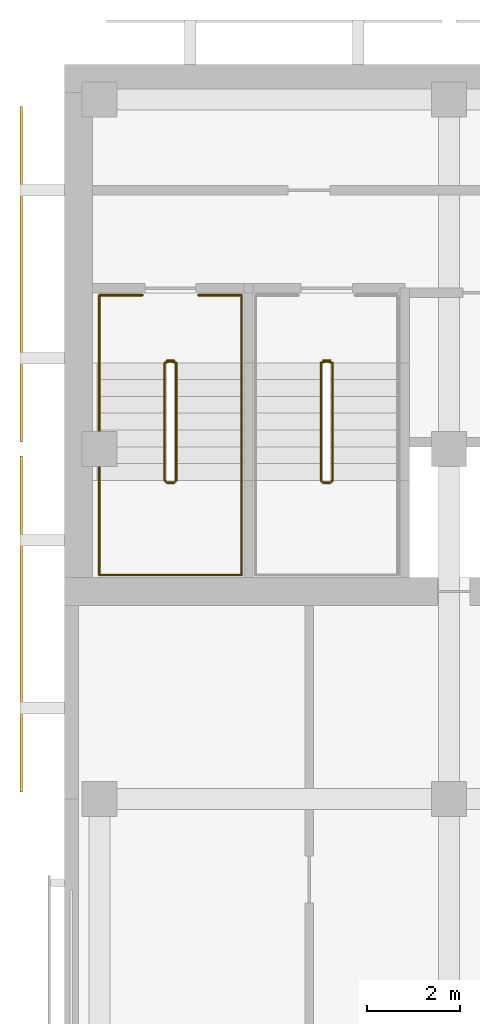
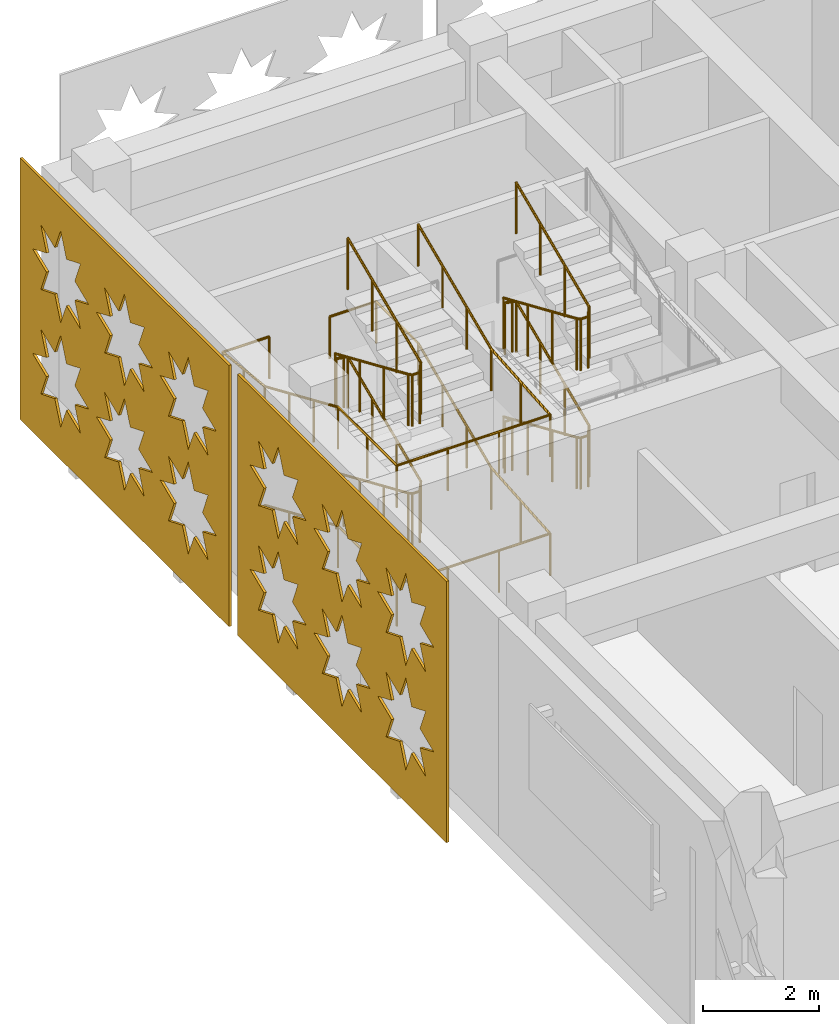
# One storey, part 36 of 40: 4 railings, 2 coverings.
"""IFC4 building model written with IfcOpenShell, lengths in metres."""

from ifc_helpers import new_model, si_unit, direction, frame, origin, origin_2d, place, context, subcontext, project, spatial, polyline, circle, outline, extrude, material, layer, layer_set, type_object, element, save


model = new_model("IFC4")

# Units and contexts
model_context = context("Model", 3, precision=1e-05, world=origin(), true_north=direction((0.0, 1.0)))
body_context = subcontext(model_context, "Body", "Model", "MODEL_VIEW")
ifc_project = project(units=[si_unit("LENGTHUNIT", "METRE"), si_unit("AREAUNIT", "SQUARE_METRE"), si_unit("VOLUMEUNIT", "CUBIC_METRE"), si_unit("PLANEANGLEUNIT", "RADIAN"), si_unit("MASSUNIT", "GRAM", prefix="KILO")], contexts=[model_context])

# Site, building, storey
site_placement = place(None, origin())
site = spatial("IfcSite", under=ifc_project, at=site_placement, CompositionType="ELEMENT")
building_placement = place(site_placement, origin())
building = spatial("IfcBuilding", under=site, at=building_placement, Name="Tessera Arch", CompositionType="ELEMENT")
storey_placement = place(building_placement, frame((0.0, 0.0, 21.0)))
storey = spatial("IfcBuildingStorey", under=building, at=storey_placement, Name="L03", CompositionType="ELEMENT", Elevation=21.0)

# Coverings
ifc_material_1 = material(Name="Anodised aluminium pale metal", Category="aluminium")
ifc_layer = layer(ifc_material_1, 0.050048828125)
ifc_layer_set = layer_set([ifc_layer], Name="Museum lattice skin panel")
covering_type = type_object("IfcCoveringType", Name="Museum lattice skin panel", PredefinedType="CLADDING", material=ifc_layer_set)
covering_1_placement = place(storey_placement, frame((-33.449951171875, 58.050048828125, 5.60009765625), z_axis=(1.0, 0.0, 0.0), x_axis=(0.0, -1.0, 0.0)))
element("IfcCovering", 1, at=covering_1_placement, inside=storey, type_object=covering_type, Name="Museum lattice skin L03 6-2", PredefinedType="CLADDING", context=body_context, shape_type="SweptSolid", body=[
    extrude(outline(polyline([(0.0, 0.0), (7.199951171875, 0.0), (7.199951171875, 5.5), (0.0, 5.5), (0.0, 0.0)]), holes=[polyline([(2.3681640625, 3.85009765625), (1.887939453125, 3.648193359375), (2.083984375, 3.166015625), (1.60205078125, 3.362060546875), (1.400146484375, 2.882080078125), (1.197998046875, 3.362060546875), (0.716064453125, 3.166015625), (0.912109375, 3.648193359375), (0.43212890625, 3.85009765625), (0.912109375, 4.052001953125), (0.716064453125, 4.5341796875), (1.197998046875, 4.338134765625), (1.400146484375, 4.818115234375), (1.60205078125, 4.338134765625), (2.083984375, 4.5341796875), (1.887939453125, 4.052001953125), (2.3681640625, 3.85009765625)]), polyline([(2.3681640625, 1.650146484375), (1.887939453125, 1.447998046875), (2.083984375, 0.966064453125), (1.60205078125, 1.162109375), (1.400146484375, 0.68212890625), (1.197998046875, 1.162109375), (0.716064453125, 0.966064453125), (0.912109375, 1.447998046875), (0.43212890625, 1.650146484375), (0.912109375, 1.85205078125), (0.716064453125, 2.333984375), (1.197998046875, 2.13818359375), (1.400146484375, 2.6181640625), (1.60205078125, 2.13818359375), (2.083984375, 2.333984375), (1.887939453125, 1.85205078125), (2.3681640625, 1.650146484375)]), polyline([(4.568115234375, 3.85009765625), (4.088134765625, 3.648193359375), (4.283935546875, 3.166015625), (3.802001953125, 3.362060546875), (3.60009765625, 2.882080078125), (3.39794921875, 3.362060546875), (2.916015625, 3.166015625), (3.112060546875, 3.648193359375), (2.632080078125, 3.85009765625), (3.112060546875, 4.052001953125), (2.916015625, 4.5341796875), (3.39794921875, 4.338134765625), (3.60009765625, 4.818115234375), (3.802001953125, 4.338134765625), (4.283935546875, 4.5341796875), (4.088134765625, 4.052001953125), (4.568115234375, 3.85009765625)]), polyline([(4.568115234375, 1.650146484375), (4.088134765625, 1.447998046875), (4.283935546875, 0.966064453125), (3.802001953125, 1.162109375), (3.60009765625, 0.68212890625), (3.39794921875, 1.162109375), (2.916015625, 0.966064453125), (3.112060546875, 1.447998046875), (2.632080078125, 1.650146484375), (3.112060546875, 1.85205078125), (2.916015625, 2.333984375), (3.39794921875, 2.13818359375), (3.60009765625, 2.6181640625), (3.802001953125, 2.13818359375), (4.283935546875, 2.333984375), (4.088134765625, 1.85205078125), (4.568115234375, 1.650146484375)]), polyline([(6.76806640625, 3.85009765625), (6.2880859375, 3.648193359375), (6.484130859375, 3.166015625), (6.001953125, 3.362060546875), (5.800048828125, 2.882080078125), (5.59814453125, 3.362060546875), (5.115966796875, 3.166015625), (5.31201171875, 3.648193359375), (4.83203125, 3.85009765625), (5.31201171875, 4.052001953125), (5.115966796875, 4.5341796875), (5.59814453125, 4.338134765625), (5.800048828125, 4.818115234375), (6.001953125, 4.338134765625), (6.484130859375, 4.5341796875), (6.2880859375, 4.052001953125), (6.76806640625, 3.85009765625)]), polyline([(6.76806640625, 1.650146484375), (6.2880859375, 1.447998046875), (6.484130859375, 0.966064453125), (6.001953125, 1.162109375), (5.800048828125, 0.68212890625), (5.59814453125, 1.162109375), (5.115966796875, 0.966064453125), (5.31201171875, 1.447998046875), (4.83203125, 1.650146484375), (5.31201171875, 1.85205078125), (5.115966796875, 2.333984375), (5.59814453125, 2.13818359375), (5.800048828125, 2.6181640625), (6.001953125, 2.13818359375), (6.484130859375, 2.333984375), (6.2880859375, 1.85205078125), (6.76806640625, 1.650146484375)])]), origin(), (0.0, 0.0, -1.0), 0.050048828125),
])
covering_2_placement = place(storey_placement, frame((-33.449951171875, 50.550048828125, 5.60009765625), z_axis=(1.0, 0.0, 0.0), x_axis=(0.0, -1.0, 0.0)))
element("IfcCovering", 2, at=covering_2_placement, inside=storey, type_object=covering_type, Name="Museum lattice skin L03 6-3", PredefinedType="CLADDING", context=body_context, shape_type="SweptSolid", body=[
    extrude(outline(polyline([(0.0, 0.0), (7.199951171875, 0.0), (7.199951171875, 5.5), (0.0, 5.5), (0.0, 0.0)]), holes=[polyline([(2.3681640625, 3.85009765625), (1.887939453125, 3.648193359375), (2.083984375, 3.166015625), (1.60205078125, 3.362060546875), (1.400146484375, 2.882080078125), (1.197998046875, 3.362060546875), (0.716064453125, 3.166015625), (0.912109375, 3.648193359375), (0.43212890625, 3.85009765625), (0.912109375, 4.052001953125), (0.716064453125, 4.5341796875), (1.197998046875, 4.338134765625), (1.400146484375, 4.818115234375), (1.60205078125, 4.338134765625), (2.083984375, 4.5341796875), (1.887939453125, 4.052001953125), (2.3681640625, 3.85009765625)]), polyline([(2.3681640625, 1.650146484375), (1.887939453125, 1.447998046875), (2.083984375, 0.966064453125), (1.60205078125, 1.162109375), (1.400146484375, 0.68212890625), (1.197998046875, 1.162109375), (0.716064453125, 0.966064453125), (0.912109375, 1.447998046875), (0.43212890625, 1.650146484375), (0.912109375, 1.85205078125), (0.716064453125, 2.333984375), (1.197998046875, 2.13818359375), (1.400146484375, 2.6181640625), (1.60205078125, 2.13818359375), (2.083984375, 2.333984375), (1.887939453125, 1.85205078125), (2.3681640625, 1.650146484375)]), polyline([(4.568115234375, 3.85009765625), (4.088134765625, 3.648193359375), (4.283935546875, 3.166015625), (3.802001953125, 3.362060546875), (3.60009765625, 2.882080078125), (3.39794921875, 3.362060546875), (2.916015625, 3.166015625), (3.112060546875, 3.648193359375), (2.632080078125, 3.85009765625), (3.112060546875, 4.052001953125), (2.916015625, 4.5341796875), (3.39794921875, 4.338134765625), (3.60009765625, 4.818115234375), (3.802001953125, 4.338134765625), (4.283935546875, 4.5341796875), (4.088134765625, 4.052001953125), (4.568115234375, 3.85009765625)]), polyline([(4.568115234375, 1.650146484375), (4.088134765625, 1.447998046875), (4.283935546875, 0.966064453125), (3.802001953125, 1.162109375), (3.60009765625, 0.68212890625), (3.39794921875, 1.162109375), (2.916015625, 0.966064453125), (3.112060546875, 1.447998046875), (2.632080078125, 1.650146484375), (3.112060546875, 1.85205078125), (2.916015625, 2.333984375), (3.39794921875, 2.13818359375), (3.60009765625, 2.6181640625), (3.802001953125, 2.13818359375), (4.283935546875, 2.333984375), (4.088134765625, 1.85205078125), (4.568115234375, 1.650146484375)]), polyline([(6.76806640625, 3.85009765625), (6.2880859375, 3.648193359375), (6.484130859375, 3.166015625), (6.001953125, 3.362060546875), (5.800048828125, 2.882080078125), (5.59814453125, 3.362060546875), (5.115966796875, 3.166015625), (5.31201171875, 3.648193359375), (4.83203125, 3.85009765625), (5.31201171875, 4.052001953125), (5.115966796875, 4.5341796875), (5.59814453125, 4.338134765625), (5.800048828125, 4.818115234375), (6.001953125, 4.338134765625), (6.484130859375, 4.5341796875), (6.2880859375, 4.052001953125), (6.76806640625, 3.85009765625)]), polyline([(6.76806640625, 1.650146484375), (6.2880859375, 1.447998046875), (6.484130859375, 0.966064453125), (6.001953125, 1.162109375), (5.800048828125, 0.68212890625), (5.59814453125, 1.162109375), (5.115966796875, 0.966064453125), (5.31201171875, 1.447998046875), (4.83203125, 1.650146484375), (5.31201171875, 1.85205078125), (5.115966796875, 2.333984375), (5.59814453125, 2.13818359375), (5.800048828125, 2.6181640625), (6.001953125, 2.13818359375), (6.484130859375, 2.333984375), (6.2880859375, 1.85205078125), (6.76806640625, 1.650146484375)])]), origin(), (0.0, 0.0, -1.0), 0.050048828125),
])

# Railings
ifc_material_2 = material(Name="Painted steel balustrade", Category="steel")
railing_type_1 = type_object("IfcRailingType", Name="Stair guard 1100", PredefinedType="GUARDRAIL", material=ifc_material_2)
railing_1_placement = place(storey_placement, frame((-30.35009765625, 52.60009765625, 0.0)))
element("IfcRailing", 3, at=railing_1_placement, inside=storey, type_object=railing_type_1, Name="L03 M1a stair guard 1", PredefinedType="GUARDRAIL", context=body_context, shape_type="SweptSolid", body=[
    extrude(circle(Radius=0.02392578125, at=origin_2d()), frame((-0.00390625, 0.0, 1.076171875), z_axis=(1.0, 0.0, 0.0), x_axis=(0.0, 1.0, 0.0)), (0.0, 0.0, 1.0), 0.158203125),
    extrude(circle(Radius=0.02392578125, at=origin_2d()), frame((0.1533203125, 0.000732421875, 1.07373046875), z_axis=(-0.77305925043, -0.19350078918, 0.604100024756), x_axis=(0.242814311512, -0.970072785993, 0.0)), (0.0, 0.0, 1.0), 0.2666015625),
    extrude(circle(Radius=0.02392578125, at=origin_2d()), frame((-0.0498046875, -0.04638671875, 1.230712890625), z_axis=(0.0, -0.917324189904, 0.398141093855), x_axis=(1.0, 0.0, 0.0)), (0.0, 0.0, 1.0), 2.755126953125),
    extrude(circle(Radius=0.02392578125, at=origin_2d()), frame((-0.052734375, -2.567138671875, 2.326171875), z_axis=(0.705375805398, -0.708833529934, 0.0), x_axis=(0.708833529934, 0.705375805398, 0.0)), (0.0, 0.0, 1.0), 0.07861328125),
    extrude(circle(Radius=0.02392578125, at=origin_2d()), frame((-0.00390625, -2.6201171875, 2.326171875), z_axis=(1.0, 0.0, 0.0), x_axis=(0.0, 1.0, 0.0)), (0.0, 0.0, 1.0), 0.158203125),
    extrude(circle(Radius=0.02392578125, at=origin_2d()), frame((0.14892578125, -2.621337890625, 2.322509765625), z_axis=(0.29177245553, 0.29177245553, 0.91089937336), x_axis=(-0.707106781187, 0.707106781187, 0.0)), (0.0, 0.0, 1.0), 0.179443359375),
    extrude(circle(Radius=0.02392578125, at=origin_2d()), frame((0.2001953125, -2.57373046875, 2.480712890625), z_axis=(0.0, 0.917324189904, 0.398141093855), x_axis=(-1.0, 0.0, 0.0)), (0.0, 0.0, 1.0), 2.755126953125),
    extrude(circle(Radius=0.02392578125, at=origin_2d()), frame((0.2041015625, -0.051025390625, 3.576171875), z_axis=(-0.970142500145, 0.242535625036, 0.0), x_axis=(-0.242535625036, -0.970142500145, 0.0)), (0.0, 0.0, 1.0), 0.21435546875),
    extrude(circle(Radius=0.02392578125, at=origin_2d()), frame((-0.00390625, 0.0, 3.576171875), z_axis=(1.0, 0.0, 0.0), x_axis=(0.0, 1.0, 0.0)), (0.0, 0.0, 1.0), 0.158203125),
    extrude(circle(Radius=0.02392578125, at=origin_2d()), frame((0.1533203125, 0.000732421875, 3.57373046875), z_axis=(-0.77305925043, -0.19350078918, 0.604100024756), x_axis=(0.242814311512, -0.970072785993, 0.0)), (0.0, 0.0, 1.0), 0.2666015625),
    extrude(circle(Radius=0.02392578125, at=origin_2d()), frame((-0.0498046875, -0.04638671875, 3.730712890625), z_axis=(0.0, -0.917324189904, 0.398141093855), x_axis=(1.0, 0.0, 0.0)), (0.0, 0.0, 1.0), 2.755126953125),
    extrude(circle(Radius=0.02392578125, at=origin_2d()), frame((-0.052734375, -2.567138671875, 4.826171875), z_axis=(0.705375805398, -0.708833529934, 0.0), x_axis=(0.708833529934, 0.705375805398, 0.0)), (0.0, 0.0, 1.0), 0.07861328125),
    extrude(circle(Radius=0.02392578125, at=origin_2d()), frame((-0.00390625, -2.6201171875, 4.826171875), z_axis=(1.0, 0.0, 0.0), x_axis=(0.0, 1.0, 0.0)), (0.0, 0.0, 1.0), 0.158203125),
    extrude(circle(Radius=0.02392578125, at=origin_2d()), frame((0.14892578125, -2.621337890625, 4.822509765625), z_axis=(0.29177245553, 0.29177245553, 0.91089937336), x_axis=(-0.707106781187, 0.707106781187, 0.0)), (0.0, 0.0, 1.0), 0.179443359375),
    extrude(circle(Radius=0.02392578125, at=origin_2d()), frame((0.2001953125, -2.57373046875, 4.980712890625), z_axis=(0.0, 0.917324189904, 0.398141093855), x_axis=(-1.0, 0.0, 0.0)), (0.0, 0.0, 1.0), 2.755126953125),
    extrude(circle(Radius=0.02099609375, at=origin_2d()), origin(), (0.0, 0.0, 1.0), 1.06396484375),
    extrude(circle(Radius=0.02099609375, at=origin_2d()), frame((0.150146484375, 0.0, 0.0)), (0.0, 0.0, 1.0), 1.06396484375),
    extrude(circle(Radius=0.02099609375, at=origin_2d()), frame((-0.0498046875, -0.050048828125, 0.15625)), (0.0, 0.0, 1.0), 1.06396484375),
    extrude(circle(Radius=0.02099609375, at=origin_2d()), frame((-0.0498046875, -0.89013671875, 0.520751953125)), (0.0, 0.0, 1.0), 1.06396484375),
    extrude(circle(Radius=0.02099609375, at=origin_2d()), frame((-0.0498046875, -1.72998046875, 0.885498046875)), (0.0, 0.0, 1.0), 1.06396484375),
    extrude(circle(Radius=0.02099609375, at=origin_2d()), frame((-0.0498046875, -2.570068359375, 1.25)), (0.0, 0.0, 1.0), 1.06396484375),
    extrude(circle(Radius=0.02099609375, at=origin_2d()), frame((0.0, -2.6201171875, 1.25)), (0.0, 0.0, 1.0), 1.06396484375),
    extrude(circle(Radius=0.02099609375, at=origin_2d()), frame((0.150146484375, -2.6201171875, 1.25)), (0.0, 0.0, 1.0), 1.06396484375),
    extrude(circle(Radius=0.02099609375, at=origin_2d()), frame((0.2001953125, -2.570068359375, 1.40625)), (0.0, 0.0, 1.0), 1.06396484375),
    extrude(circle(Radius=0.02099609375, at=origin_2d()), frame((0.2001953125, -1.72998046875, 1.770751953125)), (0.0, 0.0, 1.0), 1.06396484375),
    extrude(circle(Radius=0.02099609375, at=origin_2d()), frame((0.2001953125, -0.89013671875, 2.135498046875)), (0.0, 0.0, 1.0), 1.06396484375),
    extrude(circle(Radius=0.02099609375, at=origin_2d()), frame((0.2001953125, -0.050048828125, 2.5)), (0.0, 0.0, 1.0), 1.06396484375),
    extrude(circle(Radius=0.02099609375, at=origin_2d()), frame((0.0, 0.0, 2.5)), (0.0, 0.0, 1.0), 1.06396484375),
    extrude(circle(Radius=0.02099609375, at=origin_2d()), frame((0.150146484375, 0.0, 2.5)), (0.0, 0.0, 1.0), 1.06396484375),
    extrude(circle(Radius=0.02099609375, at=origin_2d()), frame((-0.0498046875, -0.050048828125, 2.65625)), (0.0, 0.0, 1.0), 1.06396484375),
    extrude(circle(Radius=0.02099609375, at=origin_2d()), frame((-0.0498046875, -0.89013671875, 3.020751953125)), (0.0, 0.0, 1.0), 1.06396484375),
    extrude(circle(Radius=0.02099609375, at=origin_2d()), frame((-0.0498046875, -1.72998046875, 3.385498046875)), (0.0, 0.0, 1.0), 1.06396484375),
    extrude(circle(Radius=0.02099609375, at=origin_2d()), frame((-0.0498046875, -2.570068359375, 3.75)), (0.0, 0.0, 1.0), 1.06396484375),
    extrude(circle(Radius=0.02099609375, at=origin_2d()), frame((0.0, -2.6201171875, 3.75)), (0.0, 0.0, 1.0), 1.06396484375),
    extrude(circle(Radius=0.02099609375, at=origin_2d()), frame((0.150146484375, -2.6201171875, 3.75)), (0.0, 0.0, 1.0), 1.06396484375),
    extrude(circle(Radius=0.02099609375, at=origin_2d()), frame((0.2001953125, -2.570068359375, 3.90625)), (0.0, 0.0, 1.0), 1.06396484375),
    extrude(circle(Radius=0.02099609375, at=origin_2d()), frame((0.2001953125, -1.72998046875, 4.270751953125)), (0.0, 0.0, 1.0), 1.06396484375),
    extrude(circle(Radius=0.02099609375, at=origin_2d()), frame((0.2001953125, -0.89013671875, 4.635498046875)), (0.0, 0.0, 1.0), 1.06396484375),
    extrude(circle(Radius=0.02099609375, at=origin_2d()), frame((0.2001953125, -0.050048828125, 5.0)), (0.0, 0.0, 1.0), 1.06396484375),
])
railing_2_placement = place(storey_placement, frame((-27.0, 52.60009765625, 0.0)))
element("IfcRailing", 4, at=railing_2_placement, inside=storey, type_object=railing_type_1, Name="L03 M1b stair guard 1", PredefinedType="GUARDRAIL", context=body_context, shape_type="SweptSolid", body=[
    extrude(circle(Radius=0.02392578125, at=origin_2d()), frame((-0.00390625, 0.0, 1.076171875), z_axis=(1.0, 0.0, 0.0), x_axis=(0.0, 1.0, 0.0)), (0.0, 0.0, 1.0), 0.157958984375),
    extrude(circle(Radius=0.02392578125, at=origin_2d()), frame((0.153076171875, 0.000732421875, 1.07373046875), z_axis=(-0.77305925043, -0.19350078918, 0.604100024756), x_axis=(0.242814311512, -0.970072785993, 0.0)), (0.0, 0.0, 1.0), 0.2666015625),
    extrude(circle(Radius=0.02392578125, at=origin_2d()), frame((-0.050048828125, -0.04638671875, 1.230712890625), z_axis=(0.0, -0.917324189904, 0.398141093855), x_axis=(1.0, 0.0, 0.0)), (0.0, 0.0, 1.0), 2.755126953125),
    extrude(circle(Radius=0.02392578125, at=origin_2d()), frame((-0.052978515625, -2.567138671875, 2.326171875), z_axis=(0.707106781187, -0.707106781187, 0.0), x_axis=(0.707106781187, 0.707106781187, 0.0)), (0.0, 0.0, 1.0), 0.078857421875),
    extrude(circle(Radius=0.02392578125, at=origin_2d()), frame((-0.00390625, -2.6201171875, 2.326171875), z_axis=(1.0, 0.0, 0.0), x_axis=(0.0, 1.0, 0.0)), (0.0, 0.0, 1.0), 0.157958984375),
    extrude(circle(Radius=0.02392578125, at=origin_2d()), frame((0.148681640625, -2.621337890625, 2.322509765625), z_axis=(0.29177245553, 0.29177245553, 0.91089937336), x_axis=(-0.707106781187, 0.707106781187, 0.0)), (0.0, 0.0, 1.0), 0.179443359375),
    extrude(circle(Radius=0.02392578125, at=origin_2d()), frame((0.199951171875, -2.57373046875, 2.480712890625), z_axis=(0.0, 0.917324189904, 0.398141093855), x_axis=(-1.0, 0.0, 0.0)), (0.0, 0.0, 1.0), 2.755126953125),
    extrude(circle(Radius=0.02392578125, at=origin_2d()), frame((0.203857421875, -0.051025390625, 3.576171875), z_axis=(-0.970072785993, 0.242814311512, 0.0), x_axis=(-0.242814311512, -0.970072785993, 0.0)), (0.0, 0.0, 1.0), 0.214111328125),
    extrude(circle(Radius=0.02392578125, at=origin_2d()), frame((-0.00390625, 0.0, 3.576171875), z_axis=(1.0, 0.0, 0.0), x_axis=(0.0, 1.0, 0.0)), (0.0, 0.0, 1.0), 0.157958984375),
    extrude(circle(Radius=0.02392578125, at=origin_2d()), frame((0.153076171875, 0.000732421875, 3.57373046875), z_axis=(-0.77305925043, -0.19350078918, 0.604100024756), x_axis=(0.242814311512, -0.970072785993, 0.0)), (0.0, 0.0, 1.0), 0.2666015625),
    extrude(circle(Radius=0.02392578125, at=origin_2d()), frame((-0.050048828125, -0.04638671875, 3.730712890625), z_axis=(0.0, -0.917324189904, 0.398141093855), x_axis=(1.0, 0.0, 0.0)), (0.0, 0.0, 1.0), 2.755126953125),
    extrude(circle(Radius=0.02392578125, at=origin_2d()), frame((-0.052978515625, -2.567138671875, 4.826171875), z_axis=(0.707106781187, -0.707106781187, 0.0), x_axis=(0.707106781187, 0.707106781187, 0.0)), (0.0, 0.0, 1.0), 0.078857421875),
    extrude(circle(Radius=0.02392578125, at=origin_2d()), frame((-0.00390625, -2.6201171875, 4.826171875), z_axis=(1.0, 0.0, 0.0), x_axis=(0.0, 1.0, 0.0)), (0.0, 0.0, 1.0), 0.157958984375),
    extrude(circle(Radius=0.02392578125, at=origin_2d()), frame((0.148681640625, -2.621337890625, 4.822509765625), z_axis=(0.29177245553, 0.29177245553, 0.91089937336), x_axis=(-0.707106781187, 0.707106781187, 0.0)), (0.0, 0.0, 1.0), 0.179443359375),
    extrude(circle(Radius=0.02392578125, at=origin_2d()), frame((0.199951171875, -2.57373046875, 4.980712890625), z_axis=(0.0, 0.917324189904, 0.398141093855), x_axis=(-1.0, 0.0, 0.0)), (0.0, 0.0, 1.0), 2.755126953125),
    extrude(circle(Radius=0.02099609375, at=origin_2d()), origin(), (0.0, 0.0, 1.0), 1.06396484375),
    extrude(circle(Radius=0.02099609375, at=origin_2d()), frame((0.14990234375, 0.0, 0.0)), (0.0, 0.0, 1.0), 1.06396484375),
    extrude(circle(Radius=0.02099609375, at=origin_2d()), frame((-0.050048828125, -0.050048828125, 0.15625)), (0.0, 0.0, 1.0), 1.06396484375),
    extrude(circle(Radius=0.02099609375, at=origin_2d()), frame((-0.050048828125, -0.89013671875, 0.520751953125)), (0.0, 0.0, 1.0), 1.06396484375),
    extrude(circle(Radius=0.02099609375, at=origin_2d()), frame((-0.050048828125, -1.72998046875, 0.885498046875)), (0.0, 0.0, 1.0), 1.06396484375),
    extrude(circle(Radius=0.02099609375, at=origin_2d()), frame((-0.050048828125, -2.570068359375, 1.25)), (0.0, 0.0, 1.0), 1.06396484375),
    extrude(circle(Radius=0.02099609375, at=origin_2d()), frame((0.0, -2.6201171875, 1.25)), (0.0, 0.0, 1.0), 1.06396484375),
    extrude(circle(Radius=0.02099609375, at=origin_2d()), frame((0.14990234375, -2.6201171875, 1.25)), (0.0, 0.0, 1.0), 1.06396484375),
    extrude(circle(Radius=0.02099609375, at=origin_2d()), frame((0.199951171875, -2.570068359375, 1.40625)), (0.0, 0.0, 1.0), 1.06396484375),
    extrude(circle(Radius=0.02099609375, at=origin_2d()), frame((0.199951171875, -1.72998046875, 1.770751953125)), (0.0, 0.0, 1.0), 1.06396484375),
    extrude(circle(Radius=0.02099609375, at=origin_2d()), frame((0.199951171875, -0.89013671875, 2.135498046875)), (0.0, 0.0, 1.0), 1.06396484375),
    extrude(circle(Radius=0.02099609375, at=origin_2d()), frame((0.199951171875, -0.050048828125, 2.5)), (0.0, 0.0, 1.0), 1.06396484375),
    extrude(circle(Radius=0.02099609375, at=origin_2d()), frame((0.0, 0.0, 2.5)), (0.0, 0.0, 1.0), 1.06396484375),
    extrude(circle(Radius=0.02099609375, at=origin_2d()), frame((0.14990234375, 0.0, 2.5)), (0.0, 0.0, 1.0), 1.06396484375),
    extrude(circle(Radius=0.02099609375, at=origin_2d()), frame((-0.050048828125, -0.050048828125, 2.65625)), (0.0, 0.0, 1.0), 1.06396484375),
    extrude(circle(Radius=0.02099609375, at=origin_2d()), frame((-0.050048828125, -0.89013671875, 3.020751953125)), (0.0, 0.0, 1.0), 1.06396484375),
    extrude(circle(Radius=0.02099609375, at=origin_2d()), frame((-0.050048828125, -1.72998046875, 3.385498046875)), (0.0, 0.0, 1.0), 1.06396484375),
    extrude(circle(Radius=0.02099609375, at=origin_2d()), frame((-0.050048828125, -2.570068359375, 3.75)), (0.0, 0.0, 1.0), 1.06396484375),
    extrude(circle(Radius=0.02099609375, at=origin_2d()), frame((0.0, -2.6201171875, 3.75)), (0.0, 0.0, 1.0), 1.06396484375),
    extrude(circle(Radius=0.02099609375, at=origin_2d()), frame((0.14990234375, -2.6201171875, 3.75)), (0.0, 0.0, 1.0), 1.06396484375),
    extrude(circle(Radius=0.02099609375, at=origin_2d()), frame((0.199951171875, -2.570068359375, 3.90625)), (0.0, 0.0, 1.0), 1.06396484375),
    extrude(circle(Radius=0.02099609375, at=origin_2d()), frame((0.199951171875, -1.72998046875, 4.270751953125)), (0.0, 0.0, 1.0), 1.06396484375),
    extrude(circle(Radius=0.02099609375, at=origin_2d()), frame((0.199951171875, -0.89013671875, 4.635498046875)), (0.0, 0.0, 1.0), 1.06396484375),
    extrude(circle(Radius=0.02099609375, at=origin_2d()), frame((0.199951171875, -0.050048828125, 5.0)), (0.0, 0.0, 1.0), 1.06396484375),
])
ifc_material_3 = material(Name="Painted steel handrail", Category="steel")
railing_type_2 = type_object("IfcRailingType", Name="Stair handrail 900", PredefinedType="HANDRAIL", material=ifc_material_3)
railing_3_placement = place(storey_placement, frame((-31.800048828125, 52.550048828125, 0.15625)))
element("IfcRailing", 5, at=railing_3_placement, inside=storey, type_object=railing_type_2, Name="L03 M1a stair handrail", PredefinedType="HANDRAIL", context=body_context, shape_type="SweptSolid", body=[
    extrude(circle(Radius=0.02392578125, at=origin_2d()), frame((0.0, 0.003662109375, 0.874267578125), z_axis=(0.0, -0.917324189904, 0.398141093855), x_axis=(1.0, 0.0, 0.0)), (0.0, 0.0, 1.0), 2.755126953125),
    extrude(circle(Radius=0.02392578125, at=origin_2d()), frame((0.0, -2.51611328125, 1.9697265625), z_axis=(0.0, -1.0, 0.0), x_axis=(1.0, 0.0, 0.0)), (0.0, 0.0, 1.0), 2.0380859375),
    extrude(circle(Radius=0.02392578125, at=origin_2d()), frame((-0.00390625, -4.550048828125, 1.9697265625), z_axis=(1.0, 0.0, 0.0), x_axis=(0.0, 1.0, 0.0)), (0.0, 0.0, 1.0), 3.05810546875),
    extrude(circle(Radius=0.02392578125, at=origin_2d()), frame((3.050048828125, -4.553955078125, 1.96923828125), z_axis=(0.0, 0.997050957685, 0.076742346713), x_axis=(-1.0, 0.0, 0.0)), (0.0, 0.0, 1.0), 2.0439453125),
    extrude(circle(Radius=0.02392578125, at=origin_2d()), frame((3.050048828125, -2.523681640625, 2.124267578125), z_axis=(0.0, 0.917324189904, 0.398141093855), x_axis=(-1.0, 0.0, 0.0)), (0.0, 0.0, 1.0), 2.755126953125),
    extrude(circle(Radius=0.02392578125, at=origin_2d()), frame((3.050048828125, -0.00390625, 3.2197265625), z_axis=(0.0, 1.0, 0.0), x_axis=(-1.0, 0.0, 0.0)), (0.0, 0.0, 1.0), 1.4580078125),
    extrude(circle(Radius=0.02392578125, at=origin_2d()), frame((3.053955078125, 1.449951171875, 3.2197265625), z_axis=(-1.0, 0.0, 0.0), x_axis=(0.0, -1.0, 0.0)), (0.0, 0.0, 1.0), 0.93310546875),
    extrude(circle(Radius=0.02099609375, at=origin_2d()), origin(), (0.0, 0.0, 1.0), 0.86376953125),
    extrude(circle(Radius=0.02099609375, at=origin_2d()), frame((0.0, -0.840087890625, 0.364501953125)), (0.0, 0.0, 1.0), 0.86376953125),
    extrude(circle(Radius=0.02099609375, at=origin_2d()), frame((0.0, -1.679931640625, 0.729248046875)), (0.0, 0.0, 1.0), 0.86376953125),
    extrude(circle(Radius=0.02099609375, at=origin_2d()), frame((0.0, -2.52001953125, 1.09375)), (0.0, 0.0, 1.0), 0.86376953125),
    extrude(circle(Radius=0.02099609375, at=origin_2d()), frame((0.0, -3.53515625, 1.09375)), (0.0, 0.0, 1.0), 0.86376953125),
    extrude(circle(Radius=0.02099609375, at=origin_2d()), frame((0.0, -4.550048828125, 1.09375)), (0.0, 0.0, 1.0), 0.86376953125),
    extrude(circle(Radius=0.02099609375, at=origin_2d()), frame((1.0166015625, -4.550048828125, 1.09375)), (0.0, 0.0, 1.0), 0.86376953125),
    extrude(circle(Radius=0.02099609375, at=origin_2d()), frame((2.033447265625, -4.550048828125, 1.09375)), (0.0, 0.0, 1.0), 0.86376953125),
    extrude(circle(Radius=0.02099609375, at=origin_2d()), frame((3.050048828125, -4.550048828125, 1.09375)), (0.0, 0.0, 1.0), 0.86376953125),
    extrude(circle(Radius=0.02099609375, at=origin_2d()), frame((3.050048828125, -3.53515625, 1.171875)), (0.0, 0.0, 1.0), 0.86376953125),
    extrude(circle(Radius=0.02099609375, at=origin_2d()), frame((3.050048828125, -2.52001953125, 1.25)), (0.0, 0.0, 1.0), 0.86376953125),
    extrude(circle(Radius=0.02099609375, at=origin_2d()), frame((3.050048828125, -1.679931640625, 1.614501953125)), (0.0, 0.0, 1.0), 0.86376953125),
    extrude(circle(Radius=0.02099609375, at=origin_2d()), frame((3.050048828125, -0.840087890625, 1.979248046875)), (0.0, 0.0, 1.0), 0.86376953125),
    extrude(circle(Radius=0.02099609375, at=origin_2d()), frame((3.050048828125, 0.0, 2.34375)), (0.0, 0.0, 1.0), 0.86376953125),
    extrude(circle(Radius=0.02099609375, at=origin_2d()), frame((3.050048828125, 0.72509765625, 2.34375)), (0.0, 0.0, 1.0), 0.86376953125),
    extrude(circle(Radius=0.02099609375, at=origin_2d()), frame((3.050048828125, 1.449951171875, 2.34375)), (0.0, 0.0, 1.0), 0.86376953125),
    extrude(circle(Radius=0.02099609375, at=origin_2d()), frame((2.125, 1.449951171875, 2.34375)), (0.0, 0.0, 1.0), 0.86376953125),
])
railing_4_placement = place(storey_placement, frame((-30.875, 54.0, 2.5)))
element("IfcRailing", 6, at=railing_4_placement, inside=storey, type_object=railing_type_2, Name="L03 M1a stair handrail 2", PredefinedType="HANDRAIL", context=body_context, shape_type="SweptSolid", body=[
    extrude(circle(Radius=0.02392578125, at=origin_2d()), frame((0.00390625, 0.0, 0.8759765625), z_axis=(-1.0, 0.0, 0.0), x_axis=(0.0, -1.0, 0.0)), (0.0, 0.0, 1.0), 0.93310546875),
    extrude(circle(Radius=0.02392578125, at=origin_2d()), frame((-0.925048828125, 0.00390625, 0.87548828125), z_axis=(0.0, -0.994243734896, 0.10714194146), x_axis=(1.0, 0.0, 0.0)), (0.0, 0.0, 1.0), 1.46630859375),
    extrude(circle(Radius=0.02392578125, at=origin_2d()), frame((-0.925048828125, -1.4462890625, 1.030517578125), z_axis=(0.0, -0.917324189904, 0.398141093855), x_axis=(1.0, 0.0, 0.0)), (0.0, 0.0, 1.0), 2.755126953125),
    extrude(circle(Radius=0.02392578125, at=origin_2d()), frame((-0.925048828125, -3.966064453125, 2.1259765625), z_axis=(0.0, -1.0, 0.0), x_axis=(1.0, 0.0, 0.0)), (0.0, 0.0, 1.0), 2.0380859375),
    extrude(circle(Radius=0.02392578125, at=origin_2d()), frame((-0.928955078125, -6.0, 2.1259765625), z_axis=(1.0, 0.0, 0.0), x_axis=(0.0, 1.0, 0.0)), (0.0, 0.0, 1.0), 3.05810546875),
    extrude(circle(Radius=0.02392578125, at=origin_2d()), frame((2.125, -6.00390625, 2.12548828125), z_axis=(0.0, 0.997050957685, 0.076742346713), x_axis=(-1.0, 0.0, 0.0)), (0.0, 0.0, 1.0), 2.0439453125),
    extrude(circle(Radius=0.02392578125, at=origin_2d()), frame((2.125, -3.9736328125, 2.280517578125), z_axis=(0.0, 0.917324189904, 0.398141093855), x_axis=(-1.0, 0.0, 0.0)), (0.0, 0.0, 1.0), 2.755126953125),
    extrude(circle(Radius=0.02099609375, at=origin_2d()), origin(), (0.0, 0.0, 1.0), 0.86376953125),
    extrude(circle(Radius=0.02099609375, at=origin_2d()), frame((-0.925048828125, 0.0, 0.0)), (0.0, 0.0, 1.0), 0.86376953125),
    extrude(circle(Radius=0.02099609375, at=origin_2d()), frame((-0.925048828125, -0.72509765625, 0.078125)), (0.0, 0.0, 1.0), 0.86376953125),
    extrude(circle(Radius=0.02099609375, at=origin_2d()), frame((-0.925048828125, -1.449951171875, 0.15625)), (0.0, 0.0, 1.0), 0.86376953125),
    extrude(circle(Radius=0.02099609375, at=origin_2d()), frame((-0.925048828125, -2.2900390625, 0.520751953125)), (0.0, 0.0, 1.0), 0.86376953125),
    extrude(circle(Radius=0.02099609375, at=origin_2d()), frame((-0.925048828125, -3.1298828125, 0.885498046875)), (0.0, 0.0, 1.0), 0.86376953125),
    extrude(circle(Radius=0.02099609375, at=origin_2d()), frame((-0.925048828125, -3.969970703125, 1.25)), (0.0, 0.0, 1.0), 0.86376953125),
    extrude(circle(Radius=0.02099609375, at=origin_2d()), frame((-0.925048828125, -4.98486328125, 1.25)), (0.0, 0.0, 1.0), 0.86376953125),
    extrude(circle(Radius=0.02099609375, at=origin_2d()), frame((-0.925048828125, -6.0, 1.25)), (0.0, 0.0, 1.0), 0.86376953125),
    extrude(circle(Radius=0.02099609375, at=origin_2d()), frame((0.091552734375, -6.0, 1.25)), (0.0, 0.0, 1.0), 0.86376953125),
    extrude(circle(Radius=0.02099609375, at=origin_2d()), frame((1.1083984375, -6.0, 1.25)), (0.0, 0.0, 1.0), 0.86376953125),
    extrude(circle(Radius=0.02099609375, at=origin_2d()), frame((2.125, -6.0, 1.25)), (0.0, 0.0, 1.0), 0.86376953125),
    extrude(circle(Radius=0.02099609375, at=origin_2d()), frame((2.125, -4.98486328125, 1.328125)), (0.0, 0.0, 1.0), 0.86376953125),
    extrude(circle(Radius=0.02099609375, at=origin_2d()), frame((2.125, -3.969970703125, 1.40625)), (0.0, 0.0, 1.0), 0.86376953125),
    extrude(circle(Radius=0.02099609375, at=origin_2d()), frame((2.125, -3.1298828125, 1.770751953125)), (0.0, 0.0, 1.0), 0.86376953125),
    extrude(circle(Radius=0.02099609375, at=origin_2d()), frame((2.125, -2.2900390625, 2.135498046875)), (0.0, 0.0, 1.0), 0.86376953125),
    extrude(circle(Radius=0.02099609375, at=origin_2d()), frame((2.125, -1.449951171875, 2.5)), (0.0, 0.0, 1.0), 0.86376953125),
])

save(model, "model.ifc")
